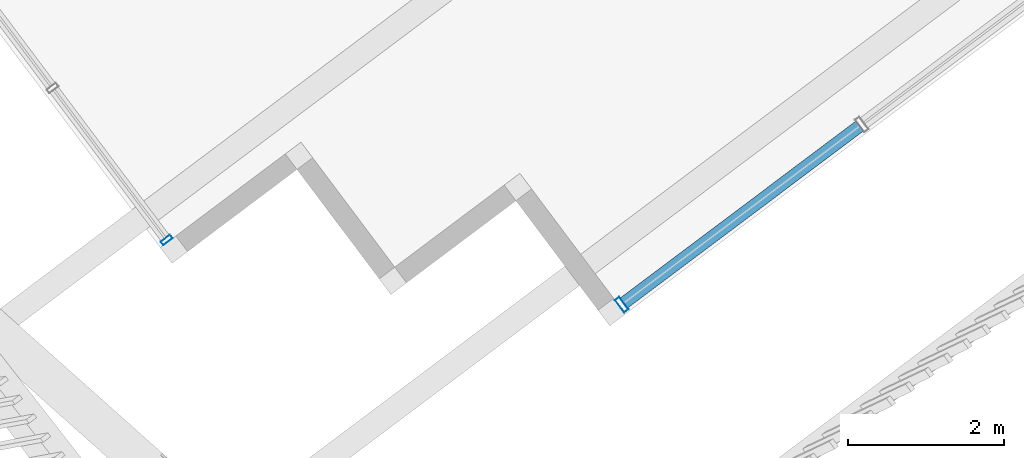
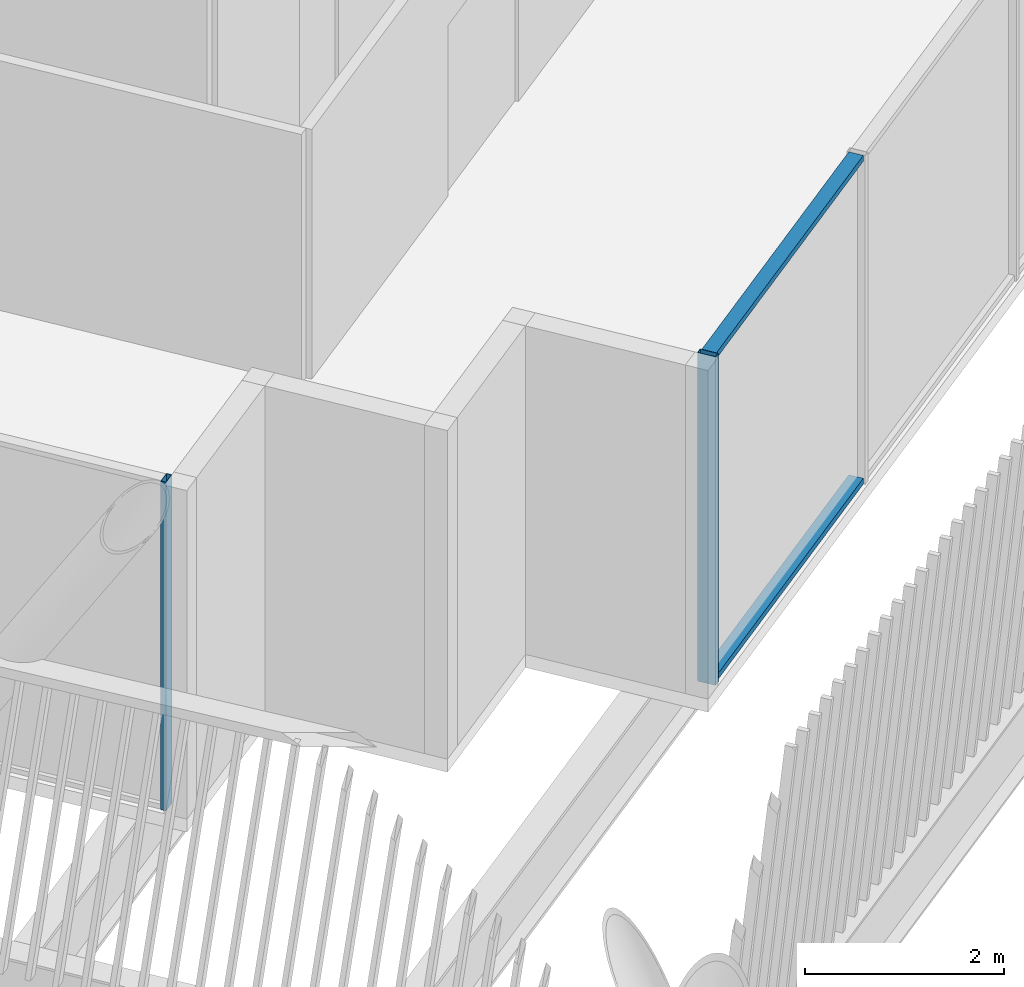
# One storey, part 8 of 35: 4 members, 2 elements without a shape of their own.
"""IFC4 building model written with IfcOpenShell, lengths in metres."""

from ifc_helpers import new_model, si_unit, direction, frame, origin, origin_2d, place, context, subcontext, project, spatial, hollow_rectangle, extrude, material, layer, layer_set, material_profile, profile_set, type_object, element, aggregate, save


model = new_model("IFC4")

# Units and contexts
model_context = context("Model", 3, precision=1e-05, world=origin(), true_north=direction((0.0, 1.0)))
body_context = subcontext(model_context, "Body", "Model", "MODEL_VIEW")
ifc_project = project(units=[si_unit("LENGTHUNIT", "METRE"), si_unit("AREAUNIT", "SQUARE_METRE"), si_unit("VOLUMEUNIT", "CUBIC_METRE"), si_unit("PLANEANGLEUNIT", "RADIAN"), si_unit("MASSUNIT", "GRAM", prefix="KILO")], contexts=[model_context])

# Site, building, storey
site_placement = place(None, origin())
site = spatial("IfcSite", under=ifc_project, at=site_placement, CompositionType="ELEMENT")
building_placement = place(site_placement, origin())
building = spatial("IfcBuilding", under=site, at=building_placement, Name="Tarsis Ring Headquarters", CompositionType="ELEMENT")
storey_placement = place(building_placement, frame((0.0, 0.0, 377.60009765625)))
storey = spatial("IfcBuildingStorey", under=building, at=storey_placement, Name="L89", CompositionType="ELEMENT", Elevation=377.60009765625)

# Curtain wall, member
ifc_material_1 = material(Name="Aluminium curtain wall", Category="aluminium")
ifc_layer_1 = layer(ifc_material_1, 0.199951171875)
ifc_layer_set_1 = layer_set([ifc_layer_1], Name="Curtain wall executive tip")
curtain_wall_type_1 = type_object("IfcCurtainWallType", Name="Curtain wall executive tip", PredefinedType="NOTDEFINED", material=ifc_layer_set_1)
curtain_wall_1_placement = place(storey_placement, origin())
curtain_wall_1 = element("IfcCurtainWall", 1, at=curtain_wall_1_placement, inside=storey, type_object=curtain_wall_type_1, Name="Curtain wall L89-11", PredefinedType="NOTDEFINED")
ifc_material_2 = material(Name="Aluminium mullion", Category="aluminium")
ifc_material_profile_1 = material_profile(ifc_material_2, hollow_rectangle(XDim=0.199951171875, YDim=0.070068359375, WallThickness=0.0048828125, at=origin_2d()), Name="RHS 200x70x5")
ifc_profile_set_1 = profile_set([ifc_material_profile_1], Name="Aluminium mullion")
member_type_1 = type_object("IfcMemberType", Name="Curtain wall mullion executive tip RHS 200x70x5", PredefinedType="MULLION", material=ifc_profile_set_1)
member_1_placement = place(storey_placement, frame((12.958251953125, -30.126708984375, 0.0), z_axis=(0.0, 0.0, 1.0), x_axis=(-0.600141038412, 0.799894201763, 0.0)))
member_1 = element("IfcMember", 2, at=member_1_placement, type_object=member_type_1, Name="CW-E mullion 1", PredefinedType="MULLION", context=body_context, shape_type="SweptSolid", body=[
    extrude(hollow_rectangle(XDim=0.199951171875, YDim=0.070068359375, WallThickness=0.0048828125, at=origin_2d()), origin(), (0.0, 0.0, 1.0), 4.039794921875),
])

ifc_layer_2 = layer(ifc_material_1, 0.14990234375)
ifc_layer_set_2 = layer_set([ifc_layer_2], Name="Curtain wall tower unit")
curtain_wall_type_2 = type_object("IfcCurtainWallType", Name="Curtain wall tower unit", PredefinedType="NOTDEFINED", material=ifc_layer_set_2)
curtain_wall_2_placement = place(storey_placement, origin())
curtain_wall_2 = element("IfcCurtainWall", 3, at=curtain_wall_2_placement, inside=storey, type_object=curtain_wall_type_2, Name="Curtain wall L89-06", PredefinedType="NOTDEFINED")
ifc_material_profile_2 = material_profile(ifc_material_2, hollow_rectangle(XDim=0.14990234375, YDim=0.06005859375, WallThickness=0.0048828125, at=origin_2d()), Name="RHS 150x60x5")
ifc_profile_set_2 = profile_set([ifc_material_profile_2], Name="Aluminium mullion")
member_type_2 = type_object("IfcMemberType", Name="Curtain wall mullion tower unit RHS 150x60x5", PredefinedType="MULLION", material=ifc_profile_set_2)
member_2_placement = place(storey_placement, frame((7.13720703125, -29.2998046875, 0.0), z_axis=(0.0, 0.0, 1.0), x_axis=(0.799894274361, 0.60014094165, 0.0)))
member_2 = element("IfcMember", 4, at=member_2_placement, type_object=member_type_2, Name="CW-T mullion 3", PredefinedType="MULLION", context=body_context, shape_type="SweptSolid", body=[
    extrude(hollow_rectangle(XDim=0.14990234375, YDim=0.06005859375, WallThickness=0.0048828125, at=origin_2d()), origin(), (0.0, 0.0, 1.0), 4.039794921875),
])
aggregate(curtain_wall_2, [member_2])

# Member
ifc_material_3 = material(Name="Aluminium transom", Category="aluminium")
ifc_material_profile_3 = material_profile(ifc_material_3, hollow_rectangle(XDim=0.159912109375, YDim=0.070068359375, WallThickness=0.0048828125, at=origin_2d()), Name="RHS 160x70x5")
ifc_profile_set_3 = profile_set([ifc_material_profile_3], Name="Aluminium transom")
member_type_3 = type_object("IfcMemberType", Name="Curtain wall transom executive tip RHS 160x70x5", PredefinedType="USERDEFINED", material=ifc_profile_set_3)
member_3_placement = place(storey_placement, frame((12.986328125, -30.105712890625, 0.034912109375), z_axis=(0.799906736961, 0.600124330588, 0.0), x_axis=(-0.600124330588, 0.799906736961, 0.0)))
member_3 = element("IfcMember", 5, at=member_3_placement, type_object=member_type_3, Name="CW-E transom 1.1", ObjectType="TRANSOM", PredefinedType="USERDEFINED", context=body_context, shape_type="SweptSolid", body=[
    extrude(hollow_rectangle(XDim=0.159912109375, YDim=0.070068359375, WallThickness=0.0048828125, at=origin_2d()), origin(), (0.0, 0.0, 1.0), 3.77001953125),
])

member_4_placement = place(storey_placement, frame((12.986328125, -30.105712890625, 4.0048828125), z_axis=(0.799906736961, 0.600124330588, 0.0), x_axis=(-0.600124330588, 0.799906736961, 0.0)))
member_4 = element("IfcMember", 6, at=member_4_placement, type_object=member_type_3, Name="CW-E transom 1.2", ObjectType="TRANSOM", PredefinedType="USERDEFINED", context=body_context, shape_type="SweptSolid", body=[
    extrude(hollow_rectangle(XDim=0.159912109375, YDim=0.070068359375, WallThickness=0.0048828125, at=origin_2d()), origin(), (0.0, 0.0, 1.0), 3.77001953125),
])

aggregate(curtain_wall_1, [member_1, member_3, member_4])

save(model, "model.ifc")
